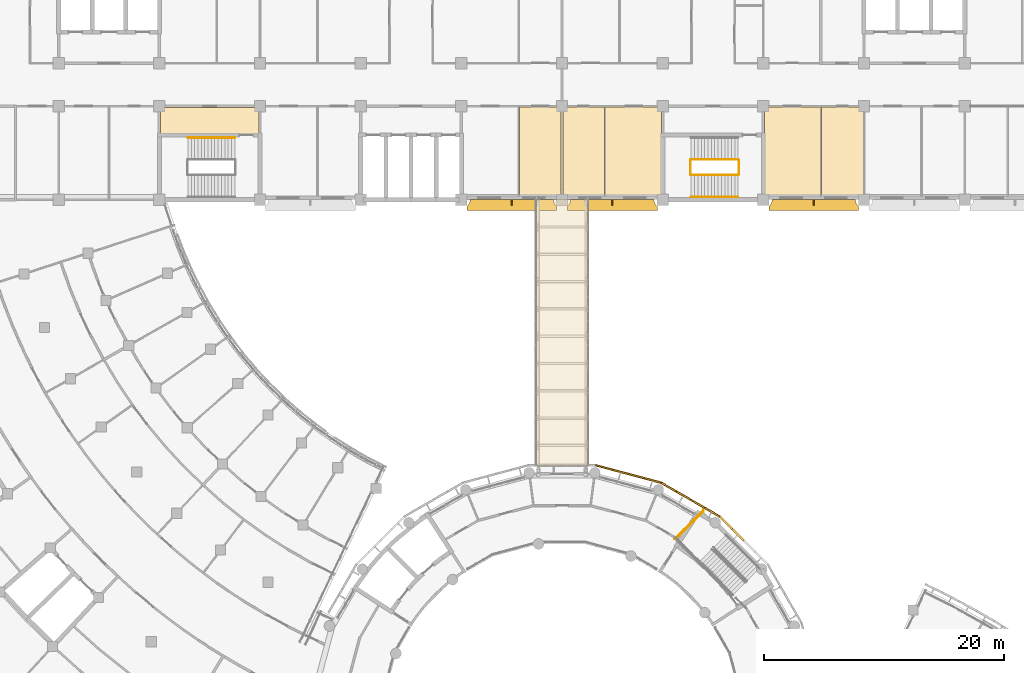
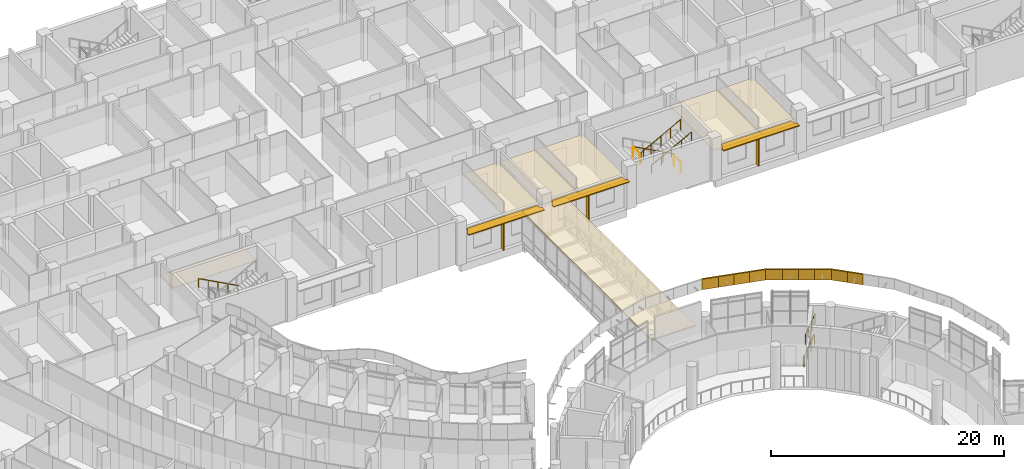
# One storey, part 123 of 136: 17 coverings, 8 railings, 6 shading devices.
"""IFC4 building model written with IfcOpenShell, lengths in metres."""

import ifcopenshell
import ifcopenshell.guid

model = None  # the IFC model being written
_history = None  # IfcOwnerHistory: only IFC2X3 demands one
_inside = {}  # id of a spatial element -> (the spatial element, [elements in it])
_under = {}  # id of a project, library or spatial element -> (it, [spatial elements below it])
_declared = {}  # id of a project -> (the project, [libraries it declares])
_typed = {}  # id of a type object -> (the type object, [elements of that type])
_made_of = {}  # id of a material, layer set ... -> (it, [elements and type objects made of it])


def new_model(schema):
    """Start an empty IFC model of exactly this schema.

    Asked for "IFC4X3", IfcOpenShell would pick the latest addendum, in which some entities
    have other attributes; the version numbers below select the first issue.
    IFC2X3 requires an IfcOwnerHistory on every rooted entity: one is made here for all.
    """
    global model, _history
    if schema == "IFC4X3":
        model = ifcopenshell.file(schema_version=(4, 3, 0, 0))
    else:
        model = ifcopenshell.file(schema=schema)
    _inside.clear()
    _under.clear()
    _declared.clear()
    _typed.clear()
    _made_of.clear()
    _history = None
    if model.schema == "IFC2X3":
        org = make("IfcOrganization", Name="unknown")
        user = make(
            "IfcPersonAndOrganization",
            ThePerson=make("IfcPerson", FamilyName="unknown"),
            TheOrganization=org,
        )
        app = make(
            "IfcApplication",
            ApplicationDeveloper=org,
            Version="unknown",
            ApplicationFullName="unknown",
            ApplicationIdentifier="unknown",
        )
        _history = make(
            "IfcOwnerHistory",
            OwningUser=user,
            OwningApplication=app,
            ChangeAction="ADDED",
            CreationDate=0,
        )
    return model


def make(cls, **values):
    """One entity of the class cls with the attributes given. An attribute that is None is left unset."""
    return model.create_entity(
        cls, **{name: value for name, value in values.items() if value is not None}
    )


def rooted(cls, **values):
    """An entity with a GlobalId (a new one), such as an element, a storey or a relation."""
    return make(cls, GlobalId=ifcopenshell.guid.new(), OwnerHistory=_history, **values)


def si_unit(unit_type, name, prefix=None):
    """IfcSIUnit, for example si_unit("LENGTHUNIT", "METRE", prefix="MILLI")."""
    return make("IfcSIUnit", UnitType=unit_type, Prefix=prefix, Name=name)


def assignment(units):
    """IfcUnitAssignment: the units of a project."""
    return None if units is None else make("IfcUnitAssignment", Units=units)


def point(xyz):
    """IfcCartesianPoint."""
    return None if xyz is None else make("IfcCartesianPoint", Coordinates=xyz)


def direction(xyz):
    """IfcDirection."""
    return None if xyz is None else make("IfcDirection", DirectionRatios=xyz)


def frame(location, z_axis=None, x_axis=None):
    """IfcAxis2Placement3D, a coordinate frame: its origin and axes. An axis left out is left unset."""
    return make(
        "IfcAxis2Placement3D",
        Location=point(location),
        Axis=direction(z_axis),
        RefDirection=direction(x_axis),
    )


def frame_2d(location, x_axis=None):
    """IfcAxis2Placement2D, a coordinate frame in the plane: its origin and x axis."""
    return make(
        "IfcAxis2Placement2D", Location=point(location), RefDirection=direction(x_axis)
    )


def origin():
    """The frame at (0, 0, 0) with its axes left unset."""
    return frame((0.0, 0.0, 0.0))


def origin_2d():
    """The frame at (0, 0) in the plane with its x axis left unset."""
    return frame_2d((0.0, 0.0))


def place(relative_to, where):
    """IfcLocalPlacement: puts the frame where relative to a parent placement (None: the world)."""
    return make(
        "IfcLocalPlacement", PlacementRelTo=relative_to, RelativePlacement=where
    )


def context(
    kind, dimensions, precision=None, world=None, true_north=None, identifier=None
):
    """IfcGeometricRepresentationContext, for example the 3D "Model" context."""
    return make(
        "IfcGeometricRepresentationContext",
        ContextIdentifier=identifier,
        ContextType=kind,
        CoordinateSpaceDimension=dimensions,
        Precision=precision,
        WorldCoordinateSystem=world,
        TrueNorth=true_north,
    )


def subcontext(parent, identifier, kind, view, scale=None):
    """IfcGeometricRepresentationSubContext, for example "Body" below "Model"."""
    return make(
        "IfcGeometricRepresentationSubContext",
        ContextIdentifier=identifier,
        ContextType=kind,
        ParentContext=parent,
        TargetScale=scale,
        TargetView=view,
    )


def project(units=None, contexts=None):
    """IfcProject with its units and contexts."""
    return rooted(
        "IfcProject",
        Name="project",
        RepresentationContexts=contexts,
        UnitsInContext=assignment(units),
    )


def spatial(cls, under=None, at=None, **own):
    """A site, building, storey or space (cls), placed at a placement, below another one or the project."""
    s = rooted(cls, ObjectPlacement=at, **own)
    if under is not None:
        _under.setdefault(under.id(), (under, []))[1].append(s)
    return s


def polyline(points):
    """IfcPolyline through the points."""
    return make("IfcPolyline", Points=[point(p) for p in points])


def profile(cls, at=None, kind="AREA", **sizes):
    """A parametric profile (cls). Its sizes go by their IFC names, for example OverallWidth=200.0."""
    return make(cls, ProfileType=kind, Position=at, **sizes)


def rectangle(**sizes):
    """IfcRectangleProfileDef."""
    return profile("IfcRectangleProfileDef", **sizes)


def circle(**sizes):
    """IfcCircleProfileDef."""
    return profile("IfcCircleProfileDef", **sizes)


def outline(outer, holes=None, kind="AREA"):
    """IfcArbitraryClosedProfileDef: a profile drawn as a closed curve; with holes, ...WithVoids."""
    if holes is None:
        return make("IfcArbitraryClosedProfileDef", ProfileType=kind, OuterCurve=outer)
    return make(
        "IfcArbitraryProfileDefWithVoids",
        ProfileType=kind,
        OuterCurve=outer,
        InnerCurves=holes,
    )


def extrude(swept, where, along, depth):
    """IfcExtrudedAreaSolid: the profile swept, set in the frame where, extruded along a direction by depth."""
    return make(
        "IfcExtrudedAreaSolid",
        SweptArea=swept,
        Position=where,
        ExtrudedDirection=direction(along),
        Depth=depth,
    )


def shape(context_of_items, identifier, shape_type, items):
    """IfcShapeRepresentation: the items that make up one representation, for example the "Body"."""
    return make(
        "IfcShapeRepresentation",
        ContextOfItems=context_of_items,
        RepresentationIdentifier=identifier,
        RepresentationType=shape_type,
        Items=items,
    )


def material(Name=None, Category=None):
    """IfcMaterial."""
    return make("IfcMaterial", Name=Name, Category=Category)


def layer(
    of_material, thickness, ventilated=None, Name=None, Category=None, Priority=None
):
    """IfcMaterialLayer: one layer of a wall or slab, of a material (None: an air gap)."""
    return make(
        "IfcMaterialLayer",
        Material=of_material,
        LayerThickness=thickness,
        IsVentilated=ventilated,
        Name=Name,
        Category=Category,
        Priority=Priority,
    )


def layer_set(layers, Name=None):
    """IfcMaterialLayerSet."""
    return make("IfcMaterialLayerSet", MaterialLayers=layers, LayerSetName=Name)


def material_profile(
    of_material, cross_section, Name=None, Category=None, Priority=None
):
    """IfcMaterialProfile: a cross section and its material."""
    return make(
        "IfcMaterialProfile",
        Name=Name,
        Material=of_material,
        Profile=cross_section,
        Priority=Priority,
        Category=Category,
    )


def profile_set(profiles, Name=None, composite=None):
    """IfcMaterialProfileSet."""
    return make(
        "IfcMaterialProfileSet",
        Name=Name,
        MaterialProfiles=profiles,
        CompositeProfile=composite,
    )


def made_of(thing, what):
    """Note that an element or type object is made of a material, layer set ...; save() writes the relation."""
    if what is not None:
        _made_of.setdefault(what.id(), (what, []))[1].append(thing)
    return thing


def type_object(cls, material=None, **own):
    """A type object (cls), such as IfcWallType, which elements share."""
    return made_of(rooted(cls, **own), material)


def element(
    cls,
    number,
    at=None,
    inside=None,
    cuts=None,
    type_object=None,
    material=None,
    context=None,
    identifier="Body",
    shape_type=None,
    held_by="IfcProductDefinitionShape",
    body=None,
    shapes=None,
    **own,
):
    """One element of the class cls, such as IfcWall. Its Tag is "e" and its number.

    at: its placement. inside: the storey or other place that contains it. cuts: it is an
    opening in that element (IfcRelVoidsElement). A single representation is given by context,
    identifier, shape_type and body (its items); several are given by shapes. held_by: the class
    of the entity that holds the representations. save() writes the other relations.
    """
    e = rooted(cls, Tag="e%d" % number, ObjectPlacement=at, **own)
    if body is not None:
        shapes = [shape(context, identifier, shape_type, body)]
    if shapes is not None:
        e.Representation = make(held_by, Representations=shapes)
    if inside is not None:
        _inside.setdefault(inside.id(), (inside, []))[1].append(e)
    if cuts is not None:
        rooted(
            "IfcRelVoidsElement", RelatingBuildingElement=cuts, RelatedOpeningElement=e
        )
    if type_object is not None:
        _typed.setdefault(type_object.id(), (type_object, []))[1].append(e)
    return made_of(e, material)


def aggregate(whole, parts):
    """IfcRelAggregates: a whole, such as a stair, and the parts it consists of."""
    return rooted("IfcRelAggregates", RelatingObject=whole, RelatedObjects=parts)


def save(model, path):
    """Write the relations noted so far, then the file.

    IfcRelAggregates (storeys below a building ...), IfcRelContainedInSpatialStructure (elements
    in a storey), IfcRelDefinesByType, IfcRelAssociatesMaterial and IfcRelDeclares: one each for
    every whole, place, type object, material and project.
    """
    for whole, parts in _under.values():
        aggregate(whole, parts)
    for where, things in _inside.values():
        rooted(
            "IfcRelContainedInSpatialStructure",
            RelatedElements=things,
            RelatingStructure=where,
        )
    for kind, things in _typed.values():
        rooted("IfcRelDefinesByType", RelatedObjects=things, RelatingType=kind)
    for what, things in _made_of.values():
        rooted("IfcRelAssociatesMaterial", RelatedObjects=things, RelatingMaterial=what)
    for by, libraries in _declared.values():
        rooted("IfcRelDeclares", RelatingContext=by, RelatedDefinitions=libraries)
    model.write(path)


model = new_model("IFC4")

# Units and contexts
model_context = context("Model", 3, precision=1e-05, world=origin(), true_north=direction((0.0, 1.0)))
body_context = subcontext(model_context, "Body", "Model", "MODEL_VIEW")
ifc_project = project(units=[si_unit("LENGTHUNIT", "METRE"), si_unit("AREAUNIT", "SQUARE_METRE"), si_unit("VOLUMEUNIT", "CUBIC_METRE"), si_unit("PLANEANGLEUNIT", "RADIAN"), si_unit("MASSUNIT", "GRAM", prefix="KILO")], contexts=[model_context])

# Site, building, storey
site_placement = place(None, origin())
site = spatial("IfcSite", under=ifc_project, at=site_placement, CompositionType="ELEMENT")
building_placement = place(site_placement, origin())
building = spatial("IfcBuilding", under=site, at=building_placement, Name="Bougainvillea Quay General Hospital", CompositionType="ELEMENT")
storey_placement = place(building_placement, frame((0.0, 0.0, 5.39990234375)))
storey = spatial("IfcBuildingStorey", under=building, at=storey_placement, Name="L01", CompositionType="ELEMENT", Elevation=5.39990234375)

# Coverings
ifc_material_1 = material(Name="Powder-coated aluminium fascia, white", Category="aluminium")
ifc_layer_1 = layer(ifc_material_1, 0.14990234375)
ifc_layer_set_1 = layer_set([ifc_layer_1], Name="Powder-coated aluminium fascia, white")
covering_type_1 = type_object("IfcCoveringType", Name="Aluminium fascia band white 150x1100", PredefinedType="CLADDING", material=ifc_layer_set_1)
covering_1_placement = place(storey_placement, frame((124.310791015625, 89.11083984375, 6.650146484375), z_axis=(0.0, 0.0, 1.0), x_axis=(-0.707106781187, 0.707106781187, 0.0)))
element("IfcCovering", 1, at=covering_1_placement, inside=storey, type_object=covering_type_1, Name="Fascia band white e1 13", PredefinedType="CLADDING", context=body_context, shape_type="SweptSolid", body=[
    extrude(outline(polyline([(0.0, 0.0), (1.370364655531937, 0.0), (1.370364655531937, -0.15019113760554115), (0.0, -0.15019113760554112), (0.0, 0.0)])), origin(), (0.0, 0.0, 1.0), 1.10009765625),
])
covering_2_placement = place(storey_placement, frame((123.341796875, 90.079833984375, 6.650146484375), z_axis=(0.0, 0.0, 1.0), x_axis=(-0.707022163611, 0.707191388638, 0.0)))
element("IfcCovering", 2, at=covering_2_placement, inside=storey, type_object=covering_type_1, Name="Fascia band white e1 14", PredefinedType="CLADDING", context=body_context, shape_type="SweptSolid", body=[
    extrude(outline(polyline([(0.0, 0.0), (1.4426980987993736, 1.1102230246251565e-16), (1.4625689014186596, -0.15001612744454185), (1.797189619842654e-05, -0.15019113653028107), (0.0, 0.0)])), origin(), (0.0, 0.0, 1.0), 1.10009765625),
])
covering_3_placement = place(storey_placement, frame((122.32177734375, 91.10009765625, 6.650146484375), z_axis=(0.0, 0.0, 1.0), x_axis=(-0.866058810152, 0.49994213401, 0.0)))
element("IfcCovering", 3, at=covering_3_placement, inside=storey, type_object=covering_type_1, Name="Fascia band white e1 15", PredefinedType="CLADDING", context=body_context, shape_type="SweptSolid", body=[
    extrude(outline(polyline([(0.0, 0.0), (1.4430380994058942, 0.0), (1.4430598671248545, -0.14995740286665526), (-0.01966128942728619, -0.15004373025304368), (0.0, 0.0)])), origin(), (0.0, 0.0, 1.0), 1.10009765625),
])
for number, where, z_axis, x_axis, name in (
    (4, (121.072021484375, 91.821533203125, 6.650146484375), (0.0, 0.0, 1.0), (-0.866031343357, 0.499989712218, 0.0), "Fascia band white e1 16"),
    (5, (119.885009765625, 92.5068359375, 6.650146484375), (0.0, 0.0, 1.0), (-0.866031343357, 0.499989712218, 0.0), "Fascia band white e1 17"),
):
    element("IfcCovering", number, at=place(storey_placement, frame(where, z_axis=z_axis, x_axis=x_axis)), inside=storey, type_object=covering_type_1, Name=name, PredefinedType="CLADDING", context=body_context, shape_type="SweptSolid", body=[
        extrude(outline(polyline([(0.0, 0.0), (1.3706336703115394, 0.0), (1.3706636762903692, -0.14995740144450076), (3.0005978829975022e-05, -0.14995740144450084), (0.0, 0.0)])), origin(), (0.0, 0.0, 1.0), 1.10009765625),
    ])
covering_4_placement = place(storey_placement, frame((118.697998046875, 93.192138671875, 6.650146484375), z_axis=(0.0, 0.0, 1.0), x_axis=(-0.866058810152, 0.49994213401, 0.0)))
element("IfcCovering", 6, at=covering_4_placement, inside=storey, type_object=covering_type_1, Name="Fascia band white e1 18", PredefinedType="CLADDING", context=body_context, shape_type="SweptSolid", body=[
    extrude(outline(polyline([(0.0, 0.0), (1.4430380994058942, 0.0), (1.4627429242711008, -0.1498710754802669), (2.176771896013341e-05, -0.14995740286665532), (0.0, 0.0)])), origin(), (0.0, 0.0, 1.0), 1.10009765625),
])
covering_5_placement = place(storey_placement, frame((117.4482421875, 93.91357421875, 6.650146484375), z_axis=(0.0, 0.0, 1.0), x_axis=(-0.965902723626, 0.258905250026, 0.0)))
element("IfcCovering", 7, at=covering_5_placement, inside=storey, type_object=covering_type_1, Name="Fascia band white e1 19", PredefinedType="CLADDING", context=body_context, shape_type="SweptSolid", body=[
    extrude(outline(polyline([(0.0, 0.0), (1.4427484812010494, 1.1102230246251565e-16), (1.4427368308614057, -0.14988922115835263), (-0.01973270080190174, -0.14986740775646634), (0.0, 0.0)])), origin(), (0.0, 0.0, 1.0), 1.10009765625),
])
for number, where, z_axis, x_axis, name in (
    (8, (116.0546875, 94.287109375, 6.650146484375), (0.0, 0.0, 1.0), (-0.965917832393, 0.258848876884, 0.0), "Fascia band white e1 20"),
    (9, (114.73095703125, 94.641845703125, 6.650146484375), (0.0, 0.0, 1.0), (-0.965917832393, 0.258848876884, 0.0), "Fascia band white e1 21"),
):
    element("IfcCovering", number, at=place(storey_placement, frame(where, z_axis=z_axis, x_axis=x_axis)), inside=storey, type_object=covering_type_1, Name=name, PredefinedType="CLADDING", context=body_context, shape_type="SweptSolid", body=[
        extrude(outline(polyline([(0.0, 0.0), (1.3704379651734342, 5.551115123125783e-17), (1.3704175668926584, -0.14988922022313056), (-2.039828077596978e-05, -0.14988922022313056), (0.0, 0.0)])), origin(), (0.0, 0.0, 1.0), 1.10009765625),
    ])
covering_6_placement = place(storey_placement, frame((113.4072265625, 94.99658203125, 6.650146484375), z_axis=(0.0, 0.0, 1.0), x_axis=(-0.96591406393, 0.258862938836, 0.0)))
element("IfcCovering", 10, at=covering_6_placement, inside=storey, type_object=covering_type_1, Name="Fascia band white e1 22", PredefinedType="CLADDING", context=body_context, shape_type="SweptSolid", body=[
    extrude(outline(polyline([(0.0, 0.0), (1.4429842986801122, 5.551115123125783e-17), (1.4626871319971926, -0.1499118977779743), (-1.8216170730327164e-05, -0.14988922050420808), (0.0, 0.0)])), origin(), (0.0, 0.0, 1.0), 1.10009765625),
])
ifc_material_2 = material(Name="Insulated aluminium roof panel, grey", Category="aluminium")
ifc_layer_2 = layer(ifc_material_2, 0.14990234375)
ifc_layer_set_2 = layer_set([ifc_layer_2], Name="Insulated aluminium roof panel, grey")
covering_type_2 = type_object("IfcCoveringType", Name="Bridge roof insulated metal panel 150", PredefinedType="ROOFING", material=ifc_layer_set_2)
covering_7_placement = place(storey_placement, frame((0.0, 0.0, 3.0)))
element("IfcCovering", 11, at=covering_7_placement, inside=storey, type_object=covering_type_2, Name="Bridge roof B1", PredefinedType="ROOFING", context=body_context, shape_type="SweptSolid", body=[
    extrude(outline(polyline([(107.0400390625, 95.419921875), (107.0400390625, 117.60009765625), (111.360107421875, 117.60009765625), (111.360107421875, 95.419921875), (107.0400390625, 95.419921875)])), origin(), (0.0, 0.0, 1.0), 0.150146484375),
])

# Railings
ifc_material_3 = material(Name="Stainless steel 304 balustrade", Category="steel")
railing_type_1 = type_object("IfcRailingType", Name="Stair guard 1100", PredefinedType="GUARDRAIL", material=ifc_material_3)
railing_1_placement = place(storey_placement, frame((123.89990234375, 120.949951171875, 0.150146484375)))
element("IfcRailing", 12, at=railing_1_placement, inside=storey, type_object=railing_type_1, Name="L01 ST-B3 stair guard 1", PredefinedType="GUARDRAIL", context=body_context, shape_type="SweptSolid", body=[
    extrude(circle(Radius=0.02392578125, at=origin_2d()), frame((0.0, 0.0, 1.076171875), z_axis=(-0.881489763865, 0.0, 0.472203130232), x_axis=(0.0, -1.0, 0.0)), (0.0, 0.0, 1.0), 4.447021484375),
    extrude(circle(Radius=0.02099609375, at=origin_2d()), origin(), (0.0, 0.0, 1.0), 1.052001953125),
    extrude(circle(Radius=0.02099609375, at=origin_2d()), frame((-0.97998046875, 0.0, 0.52490234375)), (0.0, 0.0, 1.0), 1.052001953125),
    extrude(circle(Radius=0.02099609375, at=origin_2d()), frame((-1.9599609375, 0.0, 1.0498046875)), (0.0, 0.0, 1.0), 1.052001953125),
    extrude(circle(Radius=0.02099609375, at=origin_2d()), frame((-2.93994140625, 0.0, 1.574951171875)), (0.0, 0.0, 1.0), 1.052001953125),
    extrude(circle(Radius=0.02099609375, at=origin_2d()), frame((-3.919921875, 0.0, 2.099853515625)), (0.0, 0.0, 1.0), 1.052001953125),
])
railing_2_placement = place(storey_placement, frame((119.929931640625, 120.89990234375, 2.25)))
element("IfcRailing", 13, at=railing_2_placement, inside=storey, type_object=railing_type_1, Name="L01 ST-B3 stair guard 2", PredefinedType="GUARDRAIL", context=body_context, shape_type="SweptSolid", body=[
    extrude(circle(Radius=0.02392578125, at=origin_2d()), frame((0.0, 0.0, 1.076171875), z_axis=(0.0, -1.0, 0.0), x_axis=(1.0, 0.0, 0.0)), (0.0, 0.0, 1.0), 1.199951171875),
    extrude(circle(Radius=0.02099609375, at=origin_2d()), origin(), (0.0, 0.0, 1.0), 1.052001953125),
    extrude(circle(Radius=0.02099609375, at=origin_2d()), frame((0.0, -1.199951171875, 0.0)), (0.0, 0.0, 1.0), 1.052001953125),
])
railing_3_placement = place(storey_placement, frame((119.97998046875, 119.64990234375, 2.400146484375)))
element("IfcRailing", 14, at=railing_3_placement, inside=storey, type_object=railing_type_1, Name="L01 ST-B3 stair guard 3", PredefinedType="GUARDRAIL", context=body_context, shape_type="SweptSolid", body=[
    extrude(circle(Radius=0.02392578125, at=origin_2d()), frame((0.0, 0.0, 1.076171875), z_axis=(0.881489763865, 0.0, 0.472203130232), x_axis=(0.0, 1.0, 0.0)), (0.0, 0.0, 1.0), 4.447021484375),
    extrude(circle(Radius=0.02099609375, at=origin_2d()), origin(), (0.0, 0.0, 1.0), 1.052001953125),
    extrude(circle(Radius=0.02099609375, at=origin_2d()), frame((0.97998046875, 0.0, 0.52490234375)), (0.0, 0.0, 1.0), 1.052001953125),
    extrude(circle(Radius=0.02099609375, at=origin_2d()), frame((1.9599609375, 0.0, 1.0498046875)), (0.0, 0.0, 1.0), 1.052001953125),
    extrude(circle(Radius=0.02099609375, at=origin_2d()), frame((2.93994140625, 0.0, 1.574951171875)), (0.0, 0.0, 1.0), 1.052001953125),
    extrude(circle(Radius=0.02099609375, at=origin_2d()), frame((3.919921875, 0.0, 2.099853515625)), (0.0, 0.0, 1.0), 1.052001953125),
])
railing_4_placement = place(storey_placement, frame((123.949951171875, 120.89990234375, 0.0)))
element("IfcRailing", 15, at=railing_4_placement, inside=storey, type_object=railing_type_1, Name="L01 ST-B3 stair guard 4", PredefinedType="GUARDRAIL", context=body_context, shape_type="SweptSolid", body=[
    extrude(circle(Radius=0.02392578125, at=origin_2d()), frame((0.0, 0.0, 1.076171875), z_axis=(0.0, -1.0, 0.0), x_axis=(1.0, 0.0, 0.0)), (0.0, 0.0, 1.0), 1.199951171875),
    extrude(circle(Radius=0.02099609375, at=origin_2d()), origin(), (0.0, 0.0, 1.0), 1.052001953125),
    extrude(circle(Radius=0.02099609375, at=origin_2d()), frame((0.0, -1.199951171875, 0.0)), (0.0, 0.0, 1.0), 1.052001953125),
])
railing_5_placement = place(storey_placement, frame((121.00048828125, 91.5693359375, 2.25)))
element("IfcRailing", 16, at=railing_5_placement, inside=storey, type_object=railing_type_1, Name="L01 ST-H1 stair guard 4", PredefinedType="GUARDRAIL", context=body_context, shape_type="SweptSolid", body=[
    extrude(circle(Radius=0.02392578125, at=origin_2d()), frame((0.0, 0.0, 1.076171875), z_axis=(-0.707068940672, -0.707144619676, 0.0), x_axis=(0.707144619676, -0.707068940672, 0.0)), (0.0, 0.0, 1.0), 3.22607421875),
    extrude(circle(Radius=0.02099609375, at=origin_2d()), origin(), (0.0, 0.0, 1.0), 1.052001953125),
    extrude(circle(Radius=0.02099609375, at=origin_2d()), frame((-0.76025390625, -0.760498046875, 0.0)), (0.0, 0.0, 1.0), 1.052001953125),
    extrude(circle(Radius=0.02099609375, at=origin_2d()), frame((-1.520751953125, -1.520751953125, 0.0)), (0.0, 0.0, 1.0), 1.052001953125),
    extrude(circle(Radius=0.02099609375, at=origin_2d()), frame((-2.281005859375, -2.28125, 0.0)), (0.0, 0.0, 1.0), 1.052001953125),
])
railing_6_placement = place(storey_placement, frame((121.00048828125, 91.710693359375, 0.0)))
element("IfcRailing", 17, at=railing_6_placement, inside=storey, type_object=railing_type_1, Name="L01 ST-H1 stair guard 9", PredefinedType="GUARDRAIL", context=body_context, shape_type="SweptSolid", body=[
    extrude(circle(Radius=0.02392578125, at=origin_2d()), frame((0.0, 0.0, 1.076171875), z_axis=(-0.707071148806, -0.707142411772, 0.0), x_axis=(0.707142411772, -0.707071148806, 0.0)), (0.0, 0.0, 1.0), 3.426025390625),
    extrude(circle(Radius=0.02099609375, at=origin_2d()), origin(), (0.0, 0.0, 1.0), 1.052001953125),
    extrude(circle(Radius=0.02099609375, at=origin_2d()), frame((-0.807373046875, -0.8076171875, 0.0)), (0.0, 0.0, 1.0), 1.052001953125),
    extrude(circle(Radius=0.02099609375, at=origin_2d()), frame((-1.614990234375, -1.614990234375, 0.0)), (0.0, 0.0, 1.0), 1.052001953125),
    extrude(circle(Radius=0.02099609375, at=origin_2d()), frame((-2.42236328125, -2.422607421875, 0.0)), (0.0, 0.0, 1.0), 1.052001953125),
])
ifc_material_4 = material(Name="Stainless steel 304 handrail", Category="steel")
railing_type_2 = type_object("IfcRailingType", Name="Stair handrail 900", PredefinedType="HANDRAIL", material=ifc_material_4)
railing_7_placement = place(storey_placement, frame((81.89990234375, 122.77490234375, 0.150146484375)))
element("IfcRailing", 18, at=railing_7_placement, inside=storey, type_object=railing_type_2, Name="L01 ST-B2 stair handrail 1", PredefinedType="HANDRAIL", context=body_context, shape_type="SweptSolid", body=[
    extrude(circle(Radius=0.02392578125, at=origin_2d()), frame((0.0, 0.0, 0.8759765625), z_axis=(-0.881489763865, 0.0, 0.472203130232), x_axis=(0.0, -1.0, 0.0)), (0.0, 0.0, 1.0), 4.447021484375),
    extrude(circle(Radius=0.02099609375, at=origin_2d()), origin(), (0.0, 0.0, 1.0), 0.851806640625),
    extrude(circle(Radius=0.02099609375, at=origin_2d()), frame((-0.97998046875, 0.0, 0.52490234375)), (0.0, 0.0, 1.0), 0.851806640625),
    extrude(circle(Radius=0.02099609375, at=origin_2d()), frame((-1.9599609375, 0.0, 1.0498046875)), (0.0, 0.0, 1.0), 0.851806640625),
    extrude(circle(Radius=0.02099609375, at=origin_2d()), frame((-2.93994140625, 0.0, 1.574951171875)), (0.0, 0.0, 1.0), 0.851806640625),
    extrude(circle(Radius=0.02099609375, at=origin_2d()), frame((-3.919921875, 0.0, 2.099853515625)), (0.0, 0.0, 1.0), 0.851806640625),
])
railing_8_placement = place(storey_placement, frame((119.97998046875, 117.824951171875, 2.400146484375)))
element("IfcRailing", 19, at=railing_8_placement, inside=storey, type_object=railing_type_2, Name="L01 ST-B3 stair handrail 2", PredefinedType="HANDRAIL", context=body_context, shape_type="SweptSolid", body=[
    extrude(circle(Radius=0.02392578125, at=origin_2d()), frame((0.0, 0.0, 0.8759765625), z_axis=(0.881489763865, 0.0, 0.472203130232), x_axis=(0.0, 1.0, 0.0)), (0.0, 0.0, 1.0), 4.447021484375),
    extrude(circle(Radius=0.02099609375, at=origin_2d()), origin(), (0.0, 0.0, 1.0), 0.851806640625),
    extrude(circle(Radius=0.02099609375, at=origin_2d()), frame((0.97998046875, 0.0, 0.52490234375)), (0.0, 0.0, 1.0), 0.851806640625),
    extrude(circle(Radius=0.02099609375, at=origin_2d()), frame((1.9599609375, 0.0, 1.0498046875)), (0.0, 0.0, 1.0), 0.851806640625),
    extrude(circle(Radius=0.02099609375, at=origin_2d()), frame((2.93994140625, 0.0, 1.574951171875)), (0.0, 0.0, 1.0), 0.851806640625),
    extrude(circle(Radius=0.02099609375, at=origin_2d()), frame((3.919921875, 0.0, 2.099853515625)), (0.0, 0.0, 1.0), 0.851806640625),
])

# Shading devices
ifc_material_5 = material(Name="Powder-coated aluminium canopy soffit and fascia, white", Category="aluminium")
ifc_layer_3 = layer(ifc_material_5, 0.10009765625)
ifc_layer_set_3 = layer_set([ifc_layer_3], Name="Powder-coated aluminium canopy soffit and fascia, white")
shading_device_type_1 = type_object("IfcShadingDeviceType", Name="Sunshade 100", PredefinedType="USERDEFINED", material=ifc_layer_set_3)
shading_device_1_placement = place(storey_placement, frame((0.0, 0.0, 3.150146484375)))
element("IfcShadingDevice", 20, at=shading_device_1_placement, inside=storey, type_object=shading_device_type_1, Name="Sunshade 0", ObjectType="Sunshade", PredefinedType="USERDEFINED", context=body_context, shape_type="SweptSolid", body=[
    extrude(outline(polyline([(108.47509765625, 117.60009765625), (101.52490234375, 117.60009765625), (101.521484375, 117.529052734375), (101.493896484375, 117.3896484375), (101.439453125, 117.25830078125), (101.3603515625, 117.14013671875), (101.25, 117.0322265625), (101.25, 116.699951171875), (108.75, 116.699951171875), (108.75, 117.0322265625), (108.6396484375, 117.14013671875), (108.560546875, 117.25830078125), (108.506103515625, 117.3896484375), (108.478515625, 117.529052734375), (108.47509765625, 117.60009765625)])), origin(), (0.0, 0.0, 1.0), 0.099853515625),
])
shading_device_2_placement = place(storey_placement, frame((0.0, 0.0, 3.150146484375)))
element("IfcShadingDevice", 21, at=shading_device_2_placement, inside=storey, type_object=shading_device_type_1, Name="Sunshade 0", ObjectType="Sunshade", PredefinedType="USERDEFINED", context=body_context, shape_type="SweptSolid", body=[
    extrude(outline(polyline([(116.875, 117.60009765625), (109.925048828125, 117.60009765625), (109.921630859375, 117.529052734375), (109.893798828125, 117.3896484375), (109.83935546875, 117.25830078125), (109.760498046875, 117.14013671875), (109.64990234375, 117.0322265625), (109.64990234375, 116.699951171875), (117.14990234375, 116.699951171875), (117.14990234375, 117.0322265625), (117.03955078125, 117.14013671875), (116.960693359375, 117.25830078125), (116.90625, 117.3896484375), (116.87841796875, 117.529052734375), (116.875, 117.60009765625)])), origin(), (0.0, 0.0, 1.0), 0.099853515625),
])
shading_device_3_placement = place(storey_placement, frame((0.0, 0.0, 3.150146484375)))
element("IfcShadingDevice", 22, at=shading_device_3_placement, inside=storey, type_object=shading_device_type_1, Name="Sunshade 0", ObjectType="Sunshade", PredefinedType="USERDEFINED", context=body_context, shape_type="SweptSolid", body=[
    extrude(outline(polyline([(133.675048828125, 117.60009765625), (126.72509765625, 117.60009765625), (126.721435546875, 117.529052734375), (126.69384765625, 117.3896484375), (126.639404296875, 117.25830078125), (126.560546875, 117.14013671875), (126.449951171875, 117.0322265625), (126.449951171875, 116.699951171875), (133.949951171875, 116.699951171875), (133.949951171875, 117.0322265625), (133.839599609375, 117.14013671875), (133.760498046875, 117.25830078125), (133.730224609375, 117.322509765625), (133.68896484375, 117.45849609375), (133.675048828125, 117.60009765625)])), origin(), (0.0, 0.0, 1.0), 0.099853515625),
])

# Coverings
ifc_material_6 = material(Name="Mineral fibre ceiling tile")
ifc_layer_4 = layer(ifc_material_6, 0.030029296875)
ifc_layer_set_4 = layer_set([ifc_layer_4], Name="Mineral fibre ceiling tile")
covering_type_3 = type_object("IfcCoveringType", Name="Suspended ceiling mineral fibre tile", PredefinedType="CEILING", material=ifc_layer_set_4)
covering_8_placement = place(storey_placement, frame((0.0, 0.0, 2.7001953125)))
element("IfcCovering", 23, at=covering_8_placement, inside=storey, type_object=covering_type_3, Name="Ceiling Smoke-proof Stair Vestibule ST-B2", PredefinedType="CEILING", context=body_context, shape_type="SweptSolid", body=[
    extrude(outline(polyline([(75.699951171875, 123.10009765625), (83.89990234375, 123.10009765625), (83.89990234375, 125.300048828125), (75.699951171875, 125.300048828125), (75.699951171875, 123.10009765625)])), origin(), (0.0, 0.0, 1.0), 0.02978515625),
])
covering_9_placement = place(storey_placement, frame((0.0, 0.0, 2.800048828125)))
element("IfcCovering", 24, at=covering_9_placement, inside=storey, type_object=covering_type_3, Name="Ceiling Intensive Care Bed Bay Room 06", PredefinedType="CEILING", context=body_context, shape_type="SweptSolid", body=[
    extrude(outline(polyline([(105.64794921875, 125.35009765625), (105.64794921875, 117.64794921875), (109.097900390625, 117.64794921875), (109.097900390625, 125.35009765625), (105.64794921875, 125.35009765625)])), origin(), (0.0, 0.0, 1.0), 0.030029296875),
])
covering_10_placement = place(storey_placement, frame((0.0, 0.0, 2.800048828125)))
element("IfcCovering", 25, at=covering_10_placement, inside=storey, type_object=covering_type_3, Name="Ceiling Intensive Care Clean Utility", PredefinedType="CEILING", context=body_context, shape_type="SweptSolid", body=[
    extrude(outline(polyline([(109.300048828125, 125.300048828125), (109.298095703125, 125.300048828125), (109.298095703125, 117.64794921875), (112.748046875, 117.64794921875), (112.748046875, 125.35009765625), (109.300048828125, 125.35009765625), (109.300048828125, 125.300048828125)])), origin(), (0.0, 0.0, 1.0), 0.030029296875),
])
covering_11_placement = place(storey_placement, frame((0.0, 0.0, 2.800048828125)))
element("IfcCovering", 26, at=covering_11_placement, inside=storey, type_object=covering_type_3, Name="Ceiling Intensive Care Bed Bay Room 07", PredefinedType="CEILING", context=body_context, shape_type="SweptSolid", body=[
    extrude(outline(polyline([(117.5, 125.35009765625), (112.847900390625, 125.35009765625), (112.847900390625, 117.64794921875), (117.548095703125, 117.64794921875), (117.550048828125, 122.89990234375), (117.5, 122.89990234375), (117.5, 125.35009765625)])), origin(), (0.0, 0.0, 1.0), 0.030029296875),
])
covering_12_placement = place(storey_placement, frame((0.0, 0.0, 2.800048828125)))
element("IfcCovering", 27, at=covering_12_placement, inside=storey, type_object=covering_type_3, Name="Ceiling Intensive Care Isolation Room 01", PredefinedType="CEILING", context=body_context, shape_type="SweptSolid", body=[
    extrude(outline(polyline([(126.10009765625, 122.89990234375), (126.050048828125, 122.89990234375), (126.050048828125, 117.64794921875), (130.75, 117.64794921875), (130.75, 125.35009765625), (126.10009765625, 125.35009765625), (126.10009765625, 122.89990234375)])), origin(), (0.0, 0.0, 1.0), 0.030029296875),
])
covering_13_placement = place(storey_placement, frame((0.0, 0.0, 2.800048828125)))
element("IfcCovering", 28, at=covering_13_placement, inside=storey, type_object=covering_type_3, Name="Ceiling Intensive Care Isolation Anteroom 01", PredefinedType="CEILING", context=body_context, shape_type="SweptSolid", body=[
    extrude(outline(polyline([(130.85009765625, 117.64794921875), (134.35009765625, 117.64794921875), (134.35009765625, 125.35009765625), (130.85009765625, 125.35009765625), (130.85009765625, 117.64794921875)])), origin(), (0.0, 0.0, 1.0), 0.030029296875),
])

# Shading devices
ifc_material_7 = material(Name="Powder-coated aluminium fin, white", Category="aluminium")
ifc_material_profile = material_profile(ifc_material_7, rectangle(XDim=0.449951171875, YDim=0.10009765625, at=origin_2d()))
ifc_profile_set = profile_set([ifc_material_profile], Name="Powder-coated aluminium fin, white")
shading_device_type_2 = type_object("IfcShadingDeviceType", Name="Vertical fin 450x100", PredefinedType="USERDEFINED", material=ifc_profile_set)
for number, where, z_axis, x_axis, name in (
    (29, (105.0, 117.375, 0.0), (0.0, 0.0, 1.0), (0.0, -1.0, 0.0), "Vertical fin 04a 1"),
    (30, (113.39990234375, 117.375, 0.0), (0.0, 0.0, 1.0), (0.0, -1.0, 0.0), "Vertical fin 04b 1"),
    (31, (130.199951171875, 117.375, 0.0), (0.0, 0.0, 1.0), (0.0, -1.0, 0.0), "Vertical fin 04c 1"),
):
    element("IfcShadingDevice", number, at=place(storey_placement, frame(where, z_axis=z_axis, x_axis=x_axis)), inside=storey, type_object=shading_device_type_2, Name=name, ObjectType="Vertical fin", PredefinedType="USERDEFINED", context=body_context, shape_type="SweptSolid", body=[
        extrude(rectangle(XDim=0.449951171875, YDim=0.10009765625, at=origin_2d()), origin(), (0.0, 0.0, 1.0), 3.150146484375),
    ])

save(model, "model.ifc")
